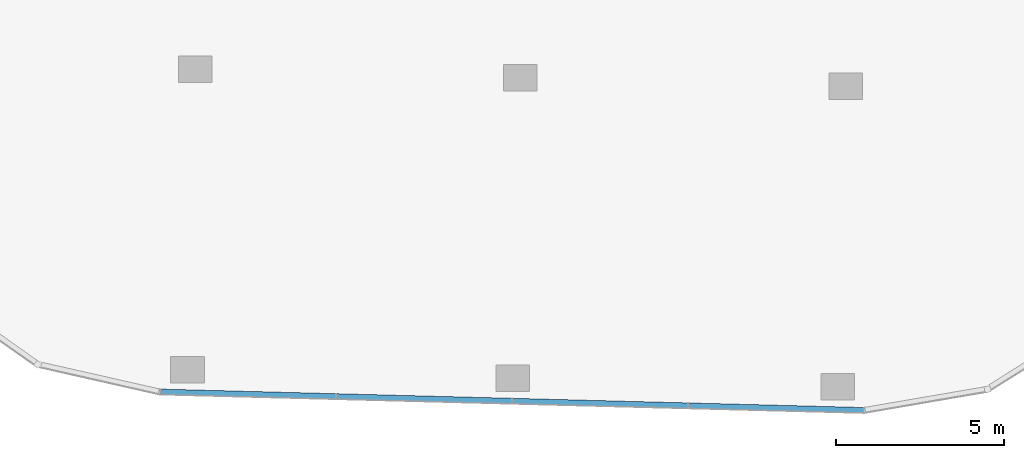
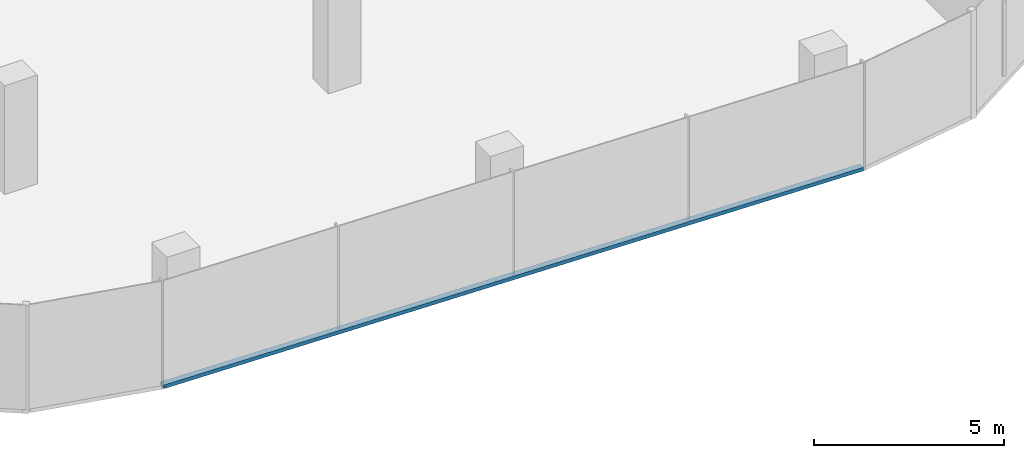
# One storey, part 3 of 26: 1 member, 1 element without a shape of its own.
"""IFC4 building model written with IfcOpenShell, lengths in metres."""

from ifc_helpers import new_model, si_unit, direction, frame, origin, origin_2d, place, context, subcontext, project, spatial, rectangle, extrude, material, material_profile, profile_set, type_object, element, aggregate, save


model = new_model("IFC4")

# Units and contexts
model_context = context("Model", 3, precision=1e-05, world=origin(), true_north=direction((0.0, 1.0)))
body_context = subcontext(model_context, "Body", "Model", "MODEL_VIEW")
ifc_project = project(units=[si_unit("LENGTHUNIT", "METRE"), si_unit("AREAUNIT", "SQUARE_METRE"), si_unit("VOLUMEUNIT", "CUBIC_METRE"), si_unit("PLANEANGLEUNIT", "RADIAN"), si_unit("MASSUNIT", "GRAM", prefix="KILO")], contexts=[model_context])

# Site, building, storey
site_placement = place(None, origin())
site = spatial("IfcSite", under=ifc_project, at=site_placement, CompositionType="ELEMENT")
building_placement = place(site_placement, origin())
building = spatial("IfcBuilding", under=site, at=building_placement, Name="Orlundy Tower", CompositionType="ELEMENT")
storey_placement = place(building_placement, frame((0.0, 0.0, 214.0)))
storey = spatial("IfcBuildingStorey", under=building, at=storey_placement, Name="L56", CompositionType="ELEMENT", Elevation=214.0)

# Curtain wall, member
ifc_material_1 = material(Name="Aluminium bronze anodised", Category="aluminium")
curtain_wall_type = type_object("IfcCurtainWallType", Name="CW1 wall", PredefinedType="NOTDEFINED", material=ifc_material_1)
curtain_wall_placement = place(storey_placement, origin())
curtain_wall = element("IfcCurtainWall", 1, at=curtain_wall_placement, inside=storey, type_object=curtain_wall_type, Name="CW1 run 023", PredefinedType="NOTDEFINED")
ifc_material_2 = material(Name="Aluminium bronze anodised", Category="aluminium")
ifc_material_profile = material_profile(ifc_material_2, rectangle(XDim=0.179931640625, YDim=0.1201171875, at=origin_2d()), Name="CW1 transom 180x120")
ifc_profile_set = profile_set([ifc_material_profile], Name="Aluminium bronze anodised")
member_type = type_object("IfcMemberType", Name="CW1 transom 180x120", PredefinedType="USERDEFINED", material=ifc_profile_set)
member_placement = place(storey_placement, frame((8.894287109375, -60.843505859375, -0.340087890625), z_axis=(-0.999657070849, 0.026186651203, 0.0), x_axis=(-0.026186651203, -0.999657070849, 0.0)))
member = element("IfcMember", 2, at=member_placement, type_object=member_type, Name="CW1 transom", ObjectType="TRANSOM", PredefinedType="USERDEFINED", context=body_context, shape_type="SweptSolid", body=[
    extrude(rectangle(XDim=0.179931640625, YDim=0.1201171875, at=origin_2d()), origin(), (0.0, 0.0, 1.0), 20.967529296875),
])
aggregate(curtain_wall, [member])

save(model, "model.ifc")
